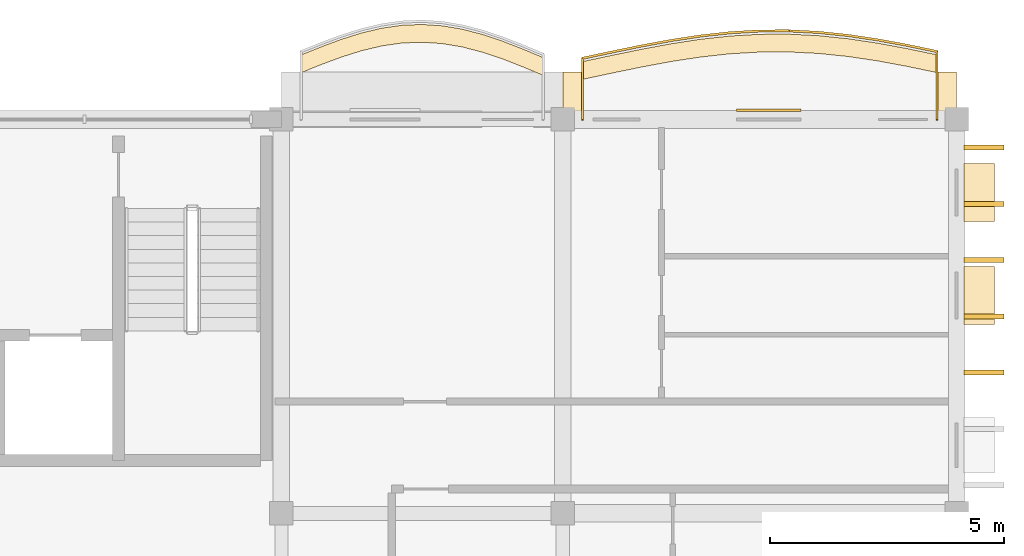
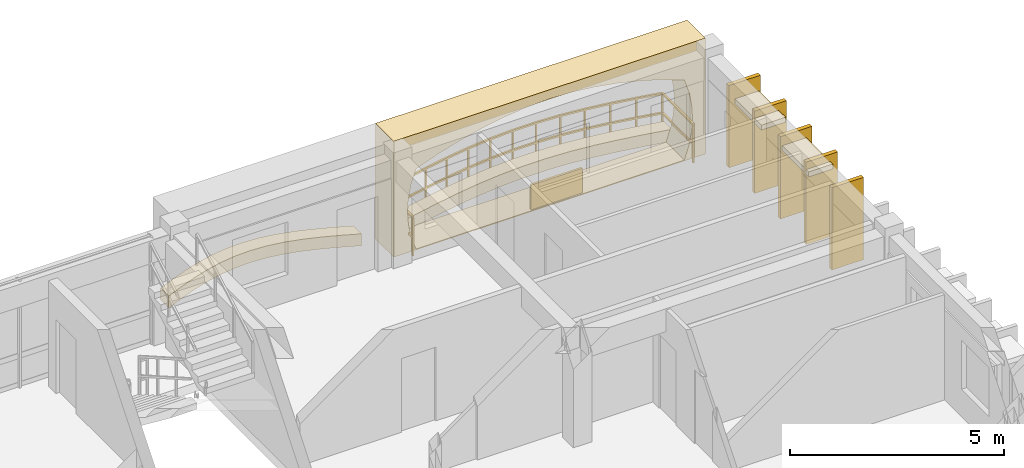
# One storey, part 11 of 11: 11 coverings, 1 railing.
"""IFC4 building model written with IfcOpenShell, lengths in metres."""

from ifc_helpers import new_model, si_unit, direction, frame, origin, origin_2d, place, context, subcontext, project, spatial, polyline, rectangle, outline, extrude, material, layer, layer_set, type_object, element, save


model = new_model("IFC4")

# Units and contexts
model_context = context("Model", 3, precision=1e-05, world=origin(), true_north=direction((0.0, 1.0)))
body_context = subcontext(model_context, "Body", "Model", "MODEL_VIEW")
ifc_project = project(units=[si_unit("LENGTHUNIT", "METRE"), si_unit("AREAUNIT", "SQUARE_METRE"), si_unit("VOLUMEUNIT", "CUBIC_METRE"), si_unit("PLANEANGLEUNIT", "RADIAN"), si_unit("MASSUNIT", "GRAM", prefix="KILO"), si_unit("THERMODYNAMICTEMPERATUREUNIT", "KELVIN")], contexts=[model_context])

# Site, building, storey
site_placement = place(None, origin())
site = spatial("IfcSite", under=ifc_project, at=site_placement, CompositionType="ELEMENT")
building_placement = place(site_placement, origin())
building = spatial("IfcBuilding", under=site, at=building_placement, Name="Thalorik Housing Commons", CompositionType="ELEMENT")
storey_placement = place(building_placement, frame((0.0, 0.0, 47.699951171875)))
storey = spatial("IfcBuildingStorey", under=building, at=storey_placement, Name="L14", CompositionType="ELEMENT", Elevation=47.699951171875)

# Coverings
ifc_material_1 = material(Name="Cobalt blue glazed ceramic facade tile panel", Category="masonry")
ifc_layer_1 = layer(ifc_material_1, 0.06005859375, Name="Cobalt blue glazed ceramic facade tile panel", Category="masonry")
ifc_layer_set_1 = layer_set([ifc_layer_1], Name="Cobalt blue glazed ceramic facade tile panel")
covering_type_1 = type_object("IfcCoveringType", Name="ARC-CLD-BLU-60", PredefinedType="CLADDING", material=ifc_layer_set_1)
covering_1_placement = place(storey_placement, frame((33.192626953125, 123.794921875, 0.05029296875), z_axis=(0.0, 0.0, 1.0), x_axis=(-1.0, 0.0, 0.0)))
element("IfcCovering", 1, at=covering_1_placement, inside=storey, type_object=covering_type_1, Name="L14 De Stijl Recessed Window Spandrel 1353", PredefinedType="CLADDING", context=body_context, shape_type="SweptSolid", body=[
    extrude(rectangle(XDim=1.3798828125, YDim=0.06005859375, at=origin_2d()), origin(), (0.0, 0.0, 1.0), 0.699951171875),
])
ifc_material_2 = material(Name="Precast concrete C40/50", Category="concrete")
ifc_layer_2 = layer(ifc_material_2, 0.85009765625, Name="Precast concrete C40/50", Category="concrete")
ifc_layer_set_2 = layer_set([ifc_layer_2], Name="Precast concrete C40/50")
covering_type_2 = type_object("IfcCoveringType", Name="ARC-CLD-CUSH-850", PredefinedType="CLADDING", material=ifc_layer_set_2)
covering_2_placement = place(storey_placement, frame((33.0, 124.18505859375, 0.0), z_axis=(0.0, 0.0, 1.0), x_axis=(-1.0, 0.0, 0.0)))
element("IfcCovering", 2, at=covering_2_placement, inside=storey, type_object=covering_type_2, Name="L14 White Precast Curved Cushion Bay Frame 1352", PredefinedType="CLADDING", context=body_context, shape_type="SweptSolid", body=[
    extrude(outline(polyline([(-4.199951171875, 0.0), (4.199951171875, 0.0), (4.199951171875, 3.300048828125), (-4.199951171875, 3.300048828125), (-4.199951171875, 0.0)]), holes=[polyline([(3.602294921875, 0.02490234375), (3.728515625, 0.404296875), (3.80419921875, 0.783203125), (3.82958984375, 1.16259765625), (3.80419921875, 1.541748046875), (3.728515625, 1.9208984375), (3.602294921875, 2.300048828125), (2.999755859375, 2.525390625), (2.39697265625, 2.7021484375), (1.794189453125, 2.845458984375), (1.191650390625, 2.951904296875), (0.5888671875, 3.017822265625), (-0.013916015625, 3.0400390625), (-0.616455078125, 3.017822265625), (-1.21923828125, 2.951904296875), (-1.822021484375, 2.845458984375), (-2.424560546875, 2.7021484375), (-3.02734375, 2.525390625), (-3.6298828125, 2.300048828125), (-3.750244140625, 1.9208984375), (-3.822509765625, 1.541748046875), (-3.8466796875, 1.16259765625), (-3.822509765625, 0.783203125), (-3.750244140625, 0.404296875), (-3.6298828125, 0.02490234375), (3.602294921875, 0.02490234375)])]), frame((0.0, 0.425048828125, 0.0), z_axis=(0.0, -1.0, 0.0), x_axis=(1.0, 0.0, 0.0)), (0.0, 0.0, 1.0), 0.85009765625),
])
ifc_layer_3 = layer(ifc_material_2, 0.85009765625, Name="Precast concrete C40/50", Category="concrete")
ifc_layer_set_3 = layer_set([ifc_layer_3], Name="Precast concrete C40/50")
covering_type_3 = type_object("IfcCoveringType", Name="ARC-CLD-FIN-850", PredefinedType="CLADDING", material=ifc_layer_set_3)
for number, where, z_axis, x_axis, name in (
    (3, (37.784912109375, 118.199951171875, 0.0400390625), (0.0, 0.0, 1.0), (0.0, 1.0, 0.0), "L14 Courtyard Precast Vertical Brise-Soleil Fin 1344"),
    (4, (37.784912109375, 119.39990234375, 0.0400390625), (0.0, 0.0, 1.0), (0.0, 1.0, 0.0), "L14 Courtyard Precast Vertical Brise-Soleil Fin 1345"),
    (5, (37.784912109375, 120.60009765625, 0.0400390625), (0.0, 0.0, 1.0), (0.0, 1.0, 0.0), "L14 Courtyard Precast Vertical Brise-Soleil Fin 1346"),
    (6, (37.784912109375, 121.800048828125, 0.0400390625), (0.0, 0.0, 1.0), (0.0, 1.0, 0.0), "L14 Courtyard Precast Vertical Brise-Soleil Fin 1347"),
    (7, (37.784912109375, 123.0, 0.0400390625), (0.0, 0.0, 1.0), (0.0, 1.0, 0.0), "L14 Courtyard Precast Vertical Brise-Soleil Fin 1348"),
):
    element("IfcCovering", number, at=place(storey_placement, frame(where, z_axis=z_axis, x_axis=x_axis)), inside=storey, type_object=covering_type_3, Name=name, PredefinedType="CLADDING", context=body_context, shape_type="SweptSolid", body=[
        extrude(rectangle(XDim=0.110107421875, YDim=0.85009765625, at=origin_2d()), origin(), (0.0, 0.0, 1.0), 2.344970703125),
    ])
ifc_layer_4 = layer(ifc_material_2, 0.64990234375, Name="Precast concrete C40/50", Category="concrete")
ifc_layer_set_4 = layer_set([ifc_layer_4], Name="Precast concrete C40/50")
covering_type_4 = type_object("IfcCoveringType", Name="ARC-CLD-HOOD-650", PredefinedType="CLADDING", material=ifc_layer_set_4)
for number, where, z_axis, x_axis, name in (
    (8, (37.68505859375, 119.8447265625, 2.0400390625), (0.0, 0.0, 1.0), (0.0, 1.0, 0.0), "L14 Courtyard Precast Window Sun-Hood 1350"),
    (9, (37.68505859375, 122.044677734375, 2.0400390625), (0.0, 0.0, 1.0), (0.0, 1.0, 0.0), "L14 Courtyard Precast Window Sun-Hood 1351"),
):
    element("IfcCovering", number, at=place(storey_placement, frame(where, z_axis=z_axis, x_axis=x_axis)), inside=storey, type_object=covering_type_4, Name=name, PredefinedType="CLADDING", context=body_context, shape_type="SweptSolid", body=[
        extrude(rectangle(XDim=1.239990234375, YDim=0.64990234375, at=origin_2d()), origin(), (0.0, 0.0, 1.0), 0.139892578125),
    ])
ifc_material_3 = material(Name="Planted vegetated substrate and terracotta trough", Category="masonry")
ifc_layer_5 = layer(ifc_material_3, 0.340087890625, Name="Planted vegetated substrate and terracotta trough", Category="masonry")
ifc_layer_set_5 = layer_set([ifc_layer_5], Name="Planted vegetated substrate and terracotta trough")
covering_type_5 = type_object("IfcCoveringType", Name="ARC-COV-PLANTER", PredefinedType="USERDEFINED", material=ifc_layer_set_5)
covering_3_placement = place(storey_placement, origin())
element("IfcCovering", 10, at=covering_3_placement, inside=storey, type_object=covering_type_5, Name="L14 Balcony Slab-Edge Planted Trough 5407", ObjectType="PLANTER", PredefinedType="USERDEFINED", context=body_context, shape_type="SweptSolid", body=[
    extrude(outline(polyline([(28.3798828125, 124.920654296875), (27.949951171875, 125.1005859375), (27.52001953125, 125.26806640625), (27.090087890625, 125.41259765625), (26.659912109375, 125.524658203125), (26.22998046875, 125.597412109375), (25.800048828125, 125.6259765625), (25.3701171875, 125.60888671875), (24.93994140625, 125.547119140625), (24.510009765625, 125.4453125), (24.080078125, 125.31005859375), (23.64990234375, 125.150146484375), (23.219970703125, 124.976318359375), (23.219970703125, 124.59619140625), (23.64990234375, 124.770263671875), (24.080078125, 124.93017578125), (24.510009765625, 125.0654296875), (24.93994140625, 125.167236328125), (25.3701171875, 125.228759765625), (25.800048828125, 125.245849609375), (26.22998046875, 125.21728515625), (26.659912109375, 125.144775390625), (27.090087890625, 125.032470703125), (27.52001953125, 124.88818359375), (27.949951171875, 124.720458984375), (28.3798828125, 124.540771484375), (28.3798828125, 124.920654296875)])), origin(), (0.0, 0.0, 1.0), 0.340087890625),
])
covering_4_placement = place(storey_placement, origin())
element("IfcCovering", 11, at=covering_4_placement, inside=storey, type_object=covering_type_5, Name="L14 Balcony Slab-Edge Planted Trough 5408", ObjectType="PLANTER", PredefinedType="USERDEFINED", context=body_context, shape_type="SweptSolid", body=[
    extrude(outline(polyline([(36.780029296875, 124.978515625), (36.14990234375, 125.110107421875), (35.52001953125, 125.226806640625), (34.889892578125, 125.32080078125), (34.260009765625, 125.386474609375), (33.6298828125, 125.4189453125), (33.0, 125.41650390625), (32.3701171875, 125.379638671875), (31.739990234375, 125.310791015625), (31.110107421875, 125.214599609375), (30.47998046875, 125.09765625), (29.85009765625, 124.968017578125), (29.219970703125, 124.834228515625), (29.219970703125, 124.4541015625), (29.85009765625, 124.587890625), (30.47998046875, 124.717529296875), (31.110107421875, 124.83447265625), (31.739990234375, 124.9306640625), (32.3701171875, 124.99951171875), (33.0, 125.03662109375), (33.6298828125, 125.038818359375), (34.260009765625, 125.00634765625), (34.889892578125, 124.94091796875), (35.52001953125, 124.8466796875), (36.14990234375, 124.72998046875), (36.780029296875, 124.5986328125), (36.780029296875, 124.978515625)])), origin(), (0.0, 0.0, 1.0), 0.340087890625),
])

# Railing
ifc_material_4 = material(Name="Steel S355", Category="steel")
railing_type = type_object("IfcRailingType", Name="ARC-RL-BAL-112", PredefinedType="BALUSTRADE", material=ifc_material_4)
railing_placement = place(storey_placement, frame((36.780029296875, 123.60009765625, 0.0)))
element("IfcRailing", 12, at=railing_placement, inside=storey, type_object=railing_type, Name="L14 Cushion Balcony Guardrail 92", PredefinedType="BALUSTRADE", context=body_context, shape_type="SweptSolid", body=[
    extrude(rectangle(XDim=0.050048828125, YDim=0.050048828125, at=origin_2d()), frame((0.0, 0.0, 1.09521484375), z_axis=(0.0, 1.0, 0.0), x_axis=(-1.0, 0.0, 0.0)), (0.0, 0.0, 1.0), 1.448486328125),
    extrude(rectangle(XDim=0.050048828125, YDim=0.050048828125, at=origin_2d()), frame((0.0, 0.0, 0.53515625), z_axis=(0.0, 1.0, 0.0), x_axis=(-1.0, 0.0, 0.0)), (0.0, 0.0, 1.0), 1.448486328125),
    extrude(rectangle(XDim=0.050048828125, YDim=0.050048828125, at=origin_2d()), frame((0.0, 1.448486328125, 1.09521484375), z_axis=(-0.978958325316, 0.204060278582, 0.0), x_axis=(-0.204060278582, -0.978958325316, 0.0)), (0.0, 0.0, 1.0), 0.6435546875),
    extrude(rectangle(XDim=0.050048828125, YDim=0.050048828125, at=origin_2d()), frame((0.0, 1.448486328125, 0.53515625), z_axis=(-0.978958325316, 0.204060278582, 0.0), x_axis=(-0.204060278582, -0.978958325316, 0.0)), (0.0, 0.0, 1.0), 0.6435546875),
    extrude(rectangle(XDim=0.050048828125, YDim=0.050048828125, at=origin_2d()), frame((-0.630126953125, 1.579833984375, 1.09521484375), z_axis=(-0.983266838, 0.182171142854, 0.0), x_axis=(-0.182171142854, -0.983266838, 0.0)), (0.0, 0.0, 1.0), 0.640625),
    extrude(rectangle(XDim=0.050048828125, YDim=0.050048828125, at=origin_2d()), frame((-0.630126953125, 1.579833984375, 0.53515625), z_axis=(-0.983266838, 0.182171142854, 0.0), x_axis=(-0.182171142854, -0.983266838, 0.0)), (0.0, 0.0, 1.0), 0.640625),
    extrude(rectangle(XDim=0.050048828125, YDim=0.050048828125, at=origin_2d()), frame((-1.260009765625, 1.696533203125, 1.09521484375), z_axis=(-0.989000903893, 0.147909472647, 0.0), x_axis=(-0.147909472647, -0.989000903893, 0.0)), (0.0, 0.0, 1.0), 0.63720703125),
    extrude(rectangle(XDim=0.050048828125, YDim=0.050048828125, at=origin_2d()), frame((-1.260009765625, 1.696533203125, 0.53515625), z_axis=(-0.989000903893, 0.147909472647, 0.0), x_axis=(-0.147909472647, -0.989000903893, 0.0)), (0.0, 0.0, 1.0), 0.63720703125),
    extrude(rectangle(XDim=0.050048828125, YDim=0.050048828125, at=origin_2d()), frame((-1.89013671875, 1.790771484375, 1.09521484375), z_axis=(-0.994648163406, 0.10332004178, 0.0), x_axis=(-0.10332004178, -0.994648163406, 0.0)), (0.0, 0.0, 1.0), 0.63330078125),
    extrude(rectangle(XDim=0.050048828125, YDim=0.050048828125, at=origin_2d()), frame((-1.89013671875, 1.790771484375, 0.53515625), z_axis=(-0.994648163406, 0.10332004178, 0.0), x_axis=(-0.10332004178, -0.994648163406, 0.0)), (0.0, 0.0, 1.0), 0.63330078125),
    extrude(rectangle(XDim=0.050048828125, YDim=0.050048828125, at=origin_2d()), frame((-2.52001953125, 1.856201171875, 1.09521484375), z_axis=(-0.998654986307, 0.05184803106, 0.0), x_axis=(-0.05184803106, -0.998654986307, 0.0)), (0.0, 0.0, 1.0), 0.630859375),
    extrude(rectangle(XDim=0.050048828125, YDim=0.050048828125, at=origin_2d()), frame((-2.52001953125, 1.856201171875, 0.53515625), z_axis=(-0.998654986307, 0.05184803106, 0.0), x_axis=(-0.05184803106, -0.998654986307, 0.0)), (0.0, 0.0, 1.0), 0.630859375),
    extrude(rectangle(XDim=0.050048828125, YDim=0.050048828125, at=origin_2d()), frame((-3.150146484375, 1.888916015625, 1.09521484375), z_axis=(-0.999992488517, -0.003875939878, 0.0), x_axis=(0.003875939878, -0.999992488517, 0.0)), (0.0, 0.0, 1.0), 0.6298828125),
    extrude(rectangle(XDim=0.050048828125, YDim=0.050048828125, at=origin_2d()), frame((-3.150146484375, 1.888916015625, 0.53515625), z_axis=(-0.999992488517, -0.003875939878, 0.0), x_axis=(0.003875939878, -0.999992488517, 0.0)), (0.0, 0.0, 1.0), 0.6298828125),
    extrude(rectangle(XDim=0.050048828125, YDim=0.050048828125, at=origin_2d()), frame((-3.780029296875, 1.886474609375, 1.09521484375), z_axis=(-0.998291674977, -0.058427148419, 0.0), x_axis=(0.058427148419, -0.998291674977, 0.0)), (0.0, 0.0, 1.0), 0.630859375),
    extrude(rectangle(XDim=0.050048828125, YDim=0.050048828125, at=origin_2d()), frame((-3.780029296875, 1.886474609375, 0.53515625), z_axis=(-0.998291674977, -0.058427148419, 0.0), x_axis=(0.058427148419, -0.998291674977, 0.0)), (0.0, 0.0, 1.0), 0.630859375),
    extrude(rectangle(XDim=0.050048828125, YDim=0.050048828125, at=origin_2d()), frame((-4.409912109375, 1.849609375, 1.09521484375), z_axis=(-0.994042387071, -0.108994186572, 0.0), x_axis=(0.108994186572, -0.994042387071, 0.0)), (0.0, 0.0, 1.0), 0.6337890625),
    extrude(rectangle(XDim=0.050048828125, YDim=0.050048828125, at=origin_2d()), frame((-4.409912109375, 1.849609375, 0.53515625), z_axis=(-0.994042387071, -0.108994186572, 0.0), x_axis=(0.108994186572, -0.994042387071, 0.0)), (0.0, 0.0, 1.0), 0.6337890625),
    extrude(rectangle(XDim=0.050048828125, YDim=0.050048828125, at=origin_2d()), frame((-5.0400390625, 1.780517578125, 1.09521484375), z_axis=(-0.988539414432, -0.150962995847, 0.0), x_axis=(0.150962995847, -0.988539414432, 0.0)), (0.0, 0.0, 1.0), 0.63720703125),
    extrude(rectangle(XDim=0.050048828125, YDim=0.050048828125, at=origin_2d()), frame((-5.0400390625, 1.780517578125, 0.53515625), z_axis=(-0.988539414432, -0.150962995847, 0.0), x_axis=(0.150962995847, -0.988539414432, 0.0)), (0.0, 0.0, 1.0), 0.63720703125),
    extrude(rectangle(XDim=0.050048828125, YDim=0.050048828125, at=origin_2d()), frame((-5.669921875, 1.684326171875, 1.09521484375), z_axis=(-0.983211198872, -0.182471198861, 0.0), x_axis=(0.182471198861, -0.983211198872, 0.0)), (0.0, 0.0, 1.0), 0.640869140625),
    extrude(rectangle(XDim=0.050048828125, YDim=0.050048828125, at=origin_2d()), frame((-5.669921875, 1.684326171875, 0.53515625), z_axis=(-0.983211198872, -0.182471198861, 0.0), x_axis=(0.182471198861, -0.983211198872, 0.0)), (0.0, 0.0, 1.0), 0.640869140625),
    extrude(rectangle(XDim=0.050048828125, YDim=0.050048828125, at=origin_2d()), frame((-6.300048828125, 1.5673828125, 1.09521484375), z_axis=(-0.979470273401, -0.201588649293, 0.0), x_axis=(0.201588649293, -0.979470273401, 0.0)), (0.0, 0.0, 1.0), 0.64306640625),
    extrude(rectangle(XDim=0.050048828125, YDim=0.050048828125, at=origin_2d()), frame((-6.300048828125, 1.5673828125, 0.53515625), z_axis=(-0.979470273401, -0.201588649293, 0.0), x_axis=(0.201588649293, -0.979470273401, 0.0)), (0.0, 0.0, 1.0), 0.64306640625),
    extrude(rectangle(XDim=0.050048828125, YDim=0.050048828125, at=origin_2d()), frame((-6.929931640625, 1.437744140625, 1.09521484375), z_axis=(-0.978271412584, -0.207328346642, 0.0), x_axis=(0.207328346642, -0.978271412584, 0.0)), (0.0, 0.0, 1.0), 0.64404296875),
    extrude(rectangle(XDim=0.050048828125, YDim=0.050048828125, at=origin_2d()), frame((-6.929931640625, 1.437744140625, 0.53515625), z_axis=(-0.978271412584, -0.207328346642, 0.0), x_axis=(0.207328346642, -0.978271412584, 0.0)), (0.0, 0.0, 1.0), 0.64404296875),
    extrude(rectangle(XDim=0.050048828125, YDim=0.050048828125, at=origin_2d()), frame((-7.56005859375, 1.30419921875, 1.09521484375), z_axis=(0.0, -1.0, 0.0), x_axis=(1.0, 0.0, 0.0)), (0.0, 0.0, 1.0), 1.30419921875),
    extrude(rectangle(XDim=0.050048828125, YDim=0.050048828125, at=origin_2d()), frame((-7.56005859375, 1.30419921875, 0.53515625), z_axis=(0.0, -1.0, 0.0), x_axis=(1.0, 0.0, 0.0)), (0.0, 0.0, 1.0), 1.30419921875),
    extrude(rectangle(XDim=0.0419921875, YDim=0.0419921875, at=origin_2d()), origin(), (0.0, 0.0, 1.0), 1.070068359375),
    extrude(rectangle(XDim=0.0419921875, YDim=0.0419921875, at=origin_2d()), frame((0.0, 1.448486328125, 0.0)), (0.0, 0.0, 1.0), 1.070068359375),
    extrude(rectangle(XDim=0.0419921875, YDim=0.0419921875, at=origin_2d()), frame((-0.630126953125, 1.579833984375, 0.0)), (0.0, 0.0, 1.0), 1.070068359375),
    extrude(rectangle(XDim=0.0419921875, YDim=0.0419921875, at=origin_2d()), frame((-1.260009765625, 1.696533203125, 0.0)), (0.0, 0.0, 1.0), 1.070068359375),
    extrude(rectangle(XDim=0.0419921875, YDim=0.0419921875, at=origin_2d()), frame((-1.89013671875, 1.790771484375, 0.0)), (0.0, 0.0, 1.0), 1.070068359375),
    extrude(rectangle(XDim=0.0419921875, YDim=0.0419921875, at=origin_2d()), frame((-2.52001953125, 1.856201171875, 0.0)), (0.0, 0.0, 1.0), 1.070068359375),
    extrude(rectangle(XDim=0.0419921875, YDim=0.0419921875, at=origin_2d()), frame((-3.150146484375, 1.888916015625, 0.0)), (0.0, 0.0, 1.0), 1.070068359375),
    extrude(rectangle(XDim=0.0419921875, YDim=0.0419921875, at=origin_2d()), frame((-3.780029296875, 1.886474609375, 0.0)), (0.0, 0.0, 1.0), 1.070068359375),
    extrude(rectangle(XDim=0.0419921875, YDim=0.0419921875, at=origin_2d()), frame((-4.409912109375, 1.849609375, 0.0)), (0.0, 0.0, 1.0), 1.070068359375),
    extrude(rectangle(XDim=0.0419921875, YDim=0.0419921875, at=origin_2d()), frame((-5.0400390625, 1.780517578125, 0.0)), (0.0, 0.0, 1.0), 1.070068359375),
    extrude(rectangle(XDim=0.0419921875, YDim=0.0419921875, at=origin_2d()), frame((-5.669921875, 1.684326171875, 0.0)), (0.0, 0.0, 1.0), 1.070068359375),
    extrude(rectangle(XDim=0.0419921875, YDim=0.0419921875, at=origin_2d()), frame((-6.300048828125, 1.5673828125, 0.0)), (0.0, 0.0, 1.0), 1.070068359375),
    extrude(rectangle(XDim=0.0419921875, YDim=0.0419921875, at=origin_2d()), frame((-6.929931640625, 1.437744140625, 0.0)), (0.0, 0.0, 1.0), 1.070068359375),
    extrude(rectangle(XDim=0.0419921875, YDim=0.0419921875, at=origin_2d()), frame((-7.56005859375, 1.30419921875, 0.0)), (0.0, 0.0, 1.0), 1.070068359375),
    extrude(rectangle(XDim=0.0419921875, YDim=0.0419921875, at=origin_2d()), frame((-7.56005859375, 0.0, 0.0)), (0.0, 0.0, 1.0), 1.070068359375),
])

save(model, "model.ifc")
